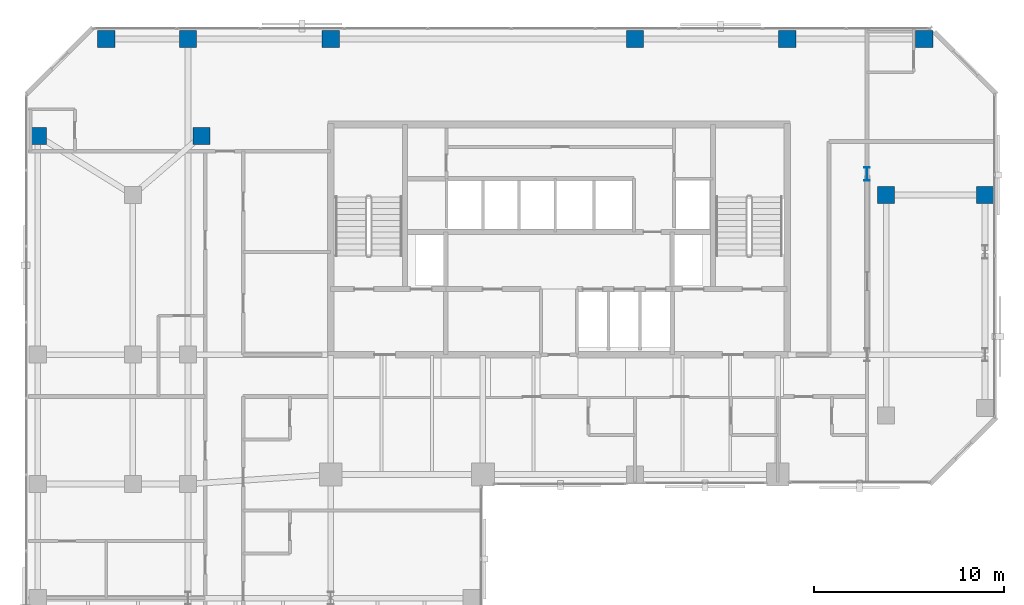
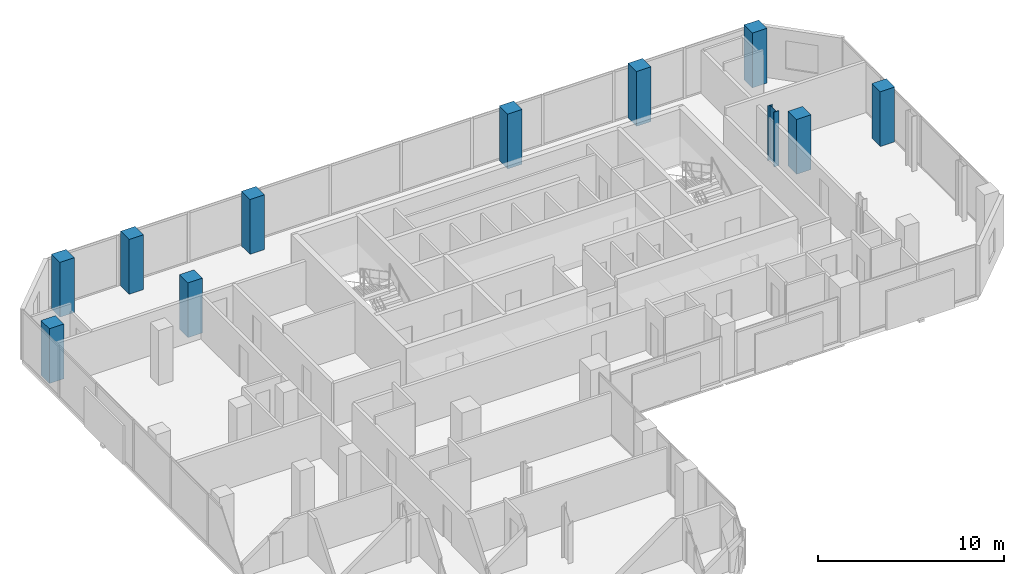
# One storey, part 2 of 34: 11 columns.
"""IFC4 building model written with IfcOpenShell, lengths in metres."""

import ifcopenshell
import ifcopenshell.guid

model = None  # the IFC model being written
_history = None  # IfcOwnerHistory: only IFC2X3 demands one
_inside = {}  # id of a spatial element -> (the spatial element, [elements in it])
_under = {}  # id of a project, library or spatial element -> (it, [spatial elements below it])
_declared = {}  # id of a project -> (the project, [libraries it declares])
_typed = {}  # id of a type object -> (the type object, [elements of that type])
_made_of = {}  # id of a material, layer set ... -> (it, [elements and type objects made of it])


def new_model(schema):
    """Start an empty IFC model of exactly this schema.

    Asked for "IFC4X3", IfcOpenShell would pick the latest addendum, in which some entities
    have other attributes; the version numbers below select the first issue.
    IFC2X3 requires an IfcOwnerHistory on every rooted entity: one is made here for all.
    """
    global model, _history
    if schema == "IFC4X3":
        model = ifcopenshell.file(schema_version=(4, 3, 0, 0))
    else:
        model = ifcopenshell.file(schema=schema)
    _inside.clear()
    _under.clear()
    _declared.clear()
    _typed.clear()
    _made_of.clear()
    _history = None
    if model.schema == "IFC2X3":
        org = make("IfcOrganization", Name="unknown")
        user = make(
            "IfcPersonAndOrganization",
            ThePerson=make("IfcPerson", FamilyName="unknown"),
            TheOrganization=org,
        )
        app = make(
            "IfcApplication",
            ApplicationDeveloper=org,
            Version="unknown",
            ApplicationFullName="unknown",
            ApplicationIdentifier="unknown",
        )
        _history = make(
            "IfcOwnerHistory",
            OwningUser=user,
            OwningApplication=app,
            ChangeAction="ADDED",
            CreationDate=0,
        )
    return model


def make(cls, **values):
    """One entity of the class cls with the attributes given. An attribute that is None is left unset."""
    return model.create_entity(
        cls, **{name: value for name, value in values.items() if value is not None}
    )


def rooted(cls, **values):
    """An entity with a GlobalId (a new one), such as an element, a storey or a relation."""
    return make(cls, GlobalId=ifcopenshell.guid.new(), OwnerHistory=_history, **values)


def si_unit(unit_type, name, prefix=None):
    """IfcSIUnit, for example si_unit("LENGTHUNIT", "METRE", prefix="MILLI")."""
    return make("IfcSIUnit", UnitType=unit_type, Prefix=prefix, Name=name)


def assignment(units):
    """IfcUnitAssignment: the units of a project."""
    return None if units is None else make("IfcUnitAssignment", Units=units)


def point(xyz):
    """IfcCartesianPoint."""
    return None if xyz is None else make("IfcCartesianPoint", Coordinates=xyz)


def direction(xyz):
    """IfcDirection."""
    return None if xyz is None else make("IfcDirection", DirectionRatios=xyz)


def frame(location, z_axis=None, x_axis=None):
    """IfcAxis2Placement3D, a coordinate frame: its origin and axes. An axis left out is left unset."""
    return make(
        "IfcAxis2Placement3D",
        Location=point(location),
        Axis=direction(z_axis),
        RefDirection=direction(x_axis),
    )


def frame_2d(location, x_axis=None):
    """IfcAxis2Placement2D, a coordinate frame in the plane: its origin and x axis."""
    return make(
        "IfcAxis2Placement2D", Location=point(location), RefDirection=direction(x_axis)
    )


def origin():
    """The frame at (0, 0, 0) with its axes left unset."""
    return frame((0.0, 0.0, 0.0))


def origin_2d():
    """The frame at (0, 0) in the plane with its x axis left unset."""
    return frame_2d((0.0, 0.0))


def place(relative_to, where):
    """IfcLocalPlacement: puts the frame where relative to a parent placement (None: the world)."""
    return make(
        "IfcLocalPlacement", PlacementRelTo=relative_to, RelativePlacement=where
    )


def context(
    kind, dimensions, precision=None, world=None, true_north=None, identifier=None
):
    """IfcGeometricRepresentationContext, for example the 3D "Model" context."""
    return make(
        "IfcGeometricRepresentationContext",
        ContextIdentifier=identifier,
        ContextType=kind,
        CoordinateSpaceDimension=dimensions,
        Precision=precision,
        WorldCoordinateSystem=world,
        TrueNorth=true_north,
    )


def subcontext(parent, identifier, kind, view, scale=None):
    """IfcGeometricRepresentationSubContext, for example "Body" below "Model"."""
    return make(
        "IfcGeometricRepresentationSubContext",
        ContextIdentifier=identifier,
        ContextType=kind,
        ParentContext=parent,
        TargetScale=scale,
        TargetView=view,
    )


def project(units=None, contexts=None):
    """IfcProject with its units and contexts."""
    return rooted(
        "IfcProject",
        Name="project",
        RepresentationContexts=contexts,
        UnitsInContext=assignment(units),
    )


def spatial(cls, under=None, at=None, **own):
    """A site, building, storey or space (cls), placed at a placement, below another one or the project."""
    s = rooted(cls, ObjectPlacement=at, **own)
    if under is not None:
        _under.setdefault(under.id(), (under, []))[1].append(s)
    return s


def profile(cls, at=None, kind="AREA", **sizes):
    """A parametric profile (cls). Its sizes go by their IFC names, for example OverallWidth=200.0."""
    return make(cls, ProfileType=kind, Position=at, **sizes)


def rectangle(**sizes):
    """IfcRectangleProfileDef."""
    return profile("IfcRectangleProfileDef", **sizes)


def i_section(**sizes):
    """IfcIShapeProfileDef."""
    return profile("IfcIShapeProfileDef", **sizes)


def extrude(swept, where, along, depth):
    """IfcExtrudedAreaSolid: the profile swept, set in the frame where, extruded along a direction by depth."""
    return make(
        "IfcExtrudedAreaSolid",
        SweptArea=swept,
        Position=where,
        ExtrudedDirection=direction(along),
        Depth=depth,
    )


def shape(context_of_items, identifier, shape_type, items):
    """IfcShapeRepresentation: the items that make up one representation, for example the "Body"."""
    return make(
        "IfcShapeRepresentation",
        ContextOfItems=context_of_items,
        RepresentationIdentifier=identifier,
        RepresentationType=shape_type,
        Items=items,
    )


def material(Name=None, Category=None):
    """IfcMaterial."""
    return make("IfcMaterial", Name=Name, Category=Category)


def material_profile(
    of_material, cross_section, Name=None, Category=None, Priority=None
):
    """IfcMaterialProfile: a cross section and its material."""
    return make(
        "IfcMaterialProfile",
        Name=Name,
        Material=of_material,
        Profile=cross_section,
        Priority=Priority,
        Category=Category,
    )


def profile_set(profiles, Name=None, composite=None):
    """IfcMaterialProfileSet."""
    return make(
        "IfcMaterialProfileSet",
        Name=Name,
        MaterialProfiles=profiles,
        CompositeProfile=composite,
    )


def made_of(thing, what):
    """Note that an element or type object is made of a material, layer set ...; save() writes the relation."""
    if what is not None:
        _made_of.setdefault(what.id(), (what, []))[1].append(thing)
    return thing


def type_object(cls, material=None, **own):
    """A type object (cls), such as IfcWallType, which elements share."""
    return made_of(rooted(cls, **own), material)


def element(
    cls,
    number,
    at=None,
    inside=None,
    cuts=None,
    type_object=None,
    material=None,
    context=None,
    identifier="Body",
    shape_type=None,
    held_by="IfcProductDefinitionShape",
    body=None,
    shapes=None,
    **own,
):
    """One element of the class cls, such as IfcWall. Its Tag is "e" and its number.

    at: its placement. inside: the storey or other place that contains it. cuts: it is an
    opening in that element (IfcRelVoidsElement). A single representation is given by context,
    identifier, shape_type and body (its items); several are given by shapes. held_by: the class
    of the entity that holds the representations. save() writes the other relations.
    """
    e = rooted(cls, Tag="e%d" % number, ObjectPlacement=at, **own)
    if body is not None:
        shapes = [shape(context, identifier, shape_type, body)]
    if shapes is not None:
        e.Representation = make(held_by, Representations=shapes)
    if inside is not None:
        _inside.setdefault(inside.id(), (inside, []))[1].append(e)
    if cuts is not None:
        rooted(
            "IfcRelVoidsElement", RelatingBuildingElement=cuts, RelatedOpeningElement=e
        )
    if type_object is not None:
        _typed.setdefault(type_object.id(), (type_object, []))[1].append(e)
    return made_of(e, material)


def aggregate(whole, parts):
    """IfcRelAggregates: a whole, such as a stair, and the parts it consists of."""
    return rooted("IfcRelAggregates", RelatingObject=whole, RelatedObjects=parts)


def save(model, path):
    """Write the relations noted so far, then the file.

    IfcRelAggregates (storeys below a building ...), IfcRelContainedInSpatialStructure (elements
    in a storey), IfcRelDefinesByType, IfcRelAssociatesMaterial and IfcRelDeclares: one each for
    every whole, place, type object, material and project.
    """
    for whole, parts in _under.values():
        aggregate(whole, parts)
    for where, things in _inside.values():
        rooted(
            "IfcRelContainedInSpatialStructure",
            RelatedElements=things,
            RelatingStructure=where,
        )
    for kind, things in _typed.values():
        rooted("IfcRelDefinesByType", RelatedObjects=things, RelatingType=kind)
    for what, things in _made_of.values():
        rooted("IfcRelAssociatesMaterial", RelatedObjects=things, RelatingMaterial=what)
    for by, libraries in _declared.values():
        rooted("IfcRelDeclares", RelatingContext=by, RelatedDefinitions=libraries)
    model.write(path)


model = new_model("IFC4")

# Units and contexts
model_context = context("Model", 3, precision=1e-05, world=origin(), true_north=direction((0.0, 1.0)))
body_context = subcontext(model_context, "Body", "Model", "MODEL_VIEW")
ifc_project = project(units=[si_unit("LENGTHUNIT", "METRE"), si_unit("AREAUNIT", "SQUARE_METRE"), si_unit("VOLUMEUNIT", "CUBIC_METRE"), si_unit("PLANEANGLEUNIT", "RADIAN"), si_unit("MASSUNIT", "GRAM", prefix="KILO")], contexts=[model_context])

# Site, building, storey
site_placement = place(None, origin())
site = spatial("IfcSite", under=ifc_project, at=site_placement, CompositionType="ELEMENT")
building_placement = place(site_placement, origin())
building = spatial("IfcBuilding", under=site, at=building_placement, Name="Catumbela Crestline Tower", CompositionType="ELEMENT")
storey_placement = place(building_placement, frame((0.0, 0.0, 93.6)))
storey = spatial("IfcBuildingStorey", under=building, at=storey_placement, Name="L23", CompositionType="ELEMENT", Elevation=93.6)

# Columns
ifc_material_1 = material(Name="Concrete C50/60", Category="concrete")
ifc_material_profile_1 = material_profile(ifc_material_1, rectangle(XDim=0.9, YDim=0.9, at=origin_2d()), Name="RC 900x900")
ifc_profile_set_1 = profile_set([ifc_material_profile_1], Name="Concrete C50/60")
column_type_1 = type_object("IfcColumnType", Name="C-RC900-C50", PredefinedType="COLUMN", material=ifc_profile_set_1)
for number, where, z_axis, x_axis, name in (
    (1, (9.2, 42.3, 0.0), (0.0, 0.0, 1.0), (1.0, 0.0, 0.0), "L23 Column C-08-43 (RC 900x900)"),
    (2, (45.2, 39.2, 0.0), (0.0, 0.0, 1.0), (1.0, 0.0, 0.0), "L23 Column C-46-43 (RC 900x900)"),
    (3, (0.6, 42.3, 0.0), (0.0, 0.0, 1.0), (1.0, 0.0, 0.0), "L23 Column C-00-43 (RC 900x900)"),
    (4, (4.2, 47.4, 0.0), (0.0, 0.0, 1.0), (1.0, 0.0, 0.0), "L23 Column C-00-48 (RC 900x900)"),
    (5, (8.5, 47.4, 0.0), (0.0, 0.0, 1.0), (1.0, 0.0, 0.0), "L23 Column C-08-48 (RC 900x900)"),
    (6, (16.0, 47.4, 0.0), (0.0, 0.0, 1.0), (1.0, 0.0, 0.0), "L23 Column C-16-48 (RC 900x900)"),
    (7, (32.0, 47.4, 0.0), (0.0, 0.0, 1.0), (1.0, 0.0, 0.0), "L23 Column C-32-48 (RC 900x900)"),
    (8, (40.0, 47.4, 0.0), (0.0, 0.0, 1.0), (1.0, 0.0, 0.0), "L23 Column C-40-48 (RC 900x900)"),
    (9, (47.2, 47.4, 0.0), (0.0, 0.0, 1.0), (1.0, 0.0, 0.0), "L23 Column C-48-48 (RC 900x900)"),
    (10, (50.4, 39.2, 0.0), (0.0, 0.0, 1.0), (1.0, 0.0, 0.0), "L23 Column C-51-43 (RC 900x900)"),
):
    element("IfcColumn", number, at=place(storey_placement, frame(where, z_axis=z_axis, x_axis=x_axis)), inside=storey, type_object=column_type_1, Name=name, PredefinedType="COLUMN", context=body_context, shape_type="SweptSolid", body=[
        extrude(rectangle(XDim=0.9, YDim=0.9, at=origin_2d()), origin(), (0.0, 0.0, 1.0), 3.6),
    ])
ifc_material_2 = material(Name="Structural steel S460M", Category="steel")
ifc_material_profile_2 = material_profile(ifc_material_2, i_section(OverallWidth=0.3, OverallDepth=0.7, WebThickness=0.017, FlangeThickness=0.032, FilletRadius=0.027, at=origin_2d()), Name="HEB 700")
ifc_profile_set_2 = profile_set([ifc_material_profile_2], Name="Structural steel S460M")
column_type_2 = type_object("IfcColumnType", Name="C-ST-HEB700", PredefinedType="COLUMN", material=ifc_profile_set_2)
column_placement = place(storey_placement, frame((44.2, 40.3, 0.0), z_axis=(0.0, 0.0, 1.0), x_axis=(1.0, 0.0, 0.0)))
element("IfcColumn", 11, at=column_placement, inside=storey, type_object=column_type_2, Name="L23 Column CT-46-37 (HEB 700)", PredefinedType="COLUMN", context=body_context, shape_type="SweptSolid", body=[
    extrude(i_section(OverallWidth=0.3, OverallDepth=0.7, WebThickness=0.017, FlangeThickness=0.032, FilletRadius=0.027, at=origin_2d()), origin(), (0.0, 0.0, 1.0), 3.6),
])

save(model, "model.ifc")
